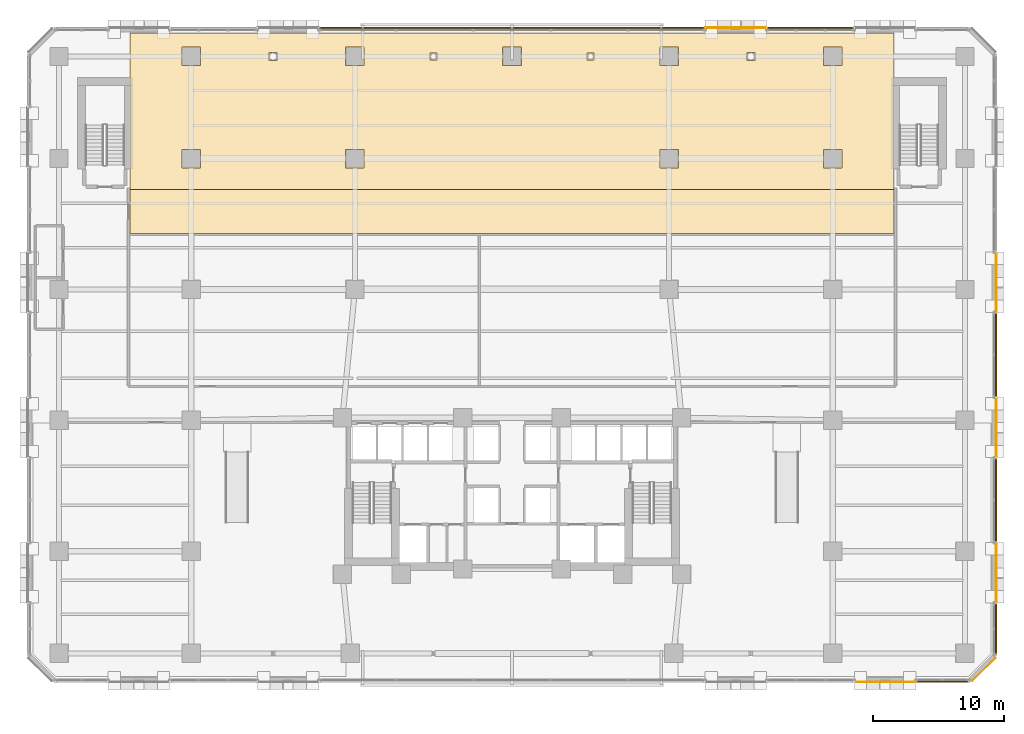
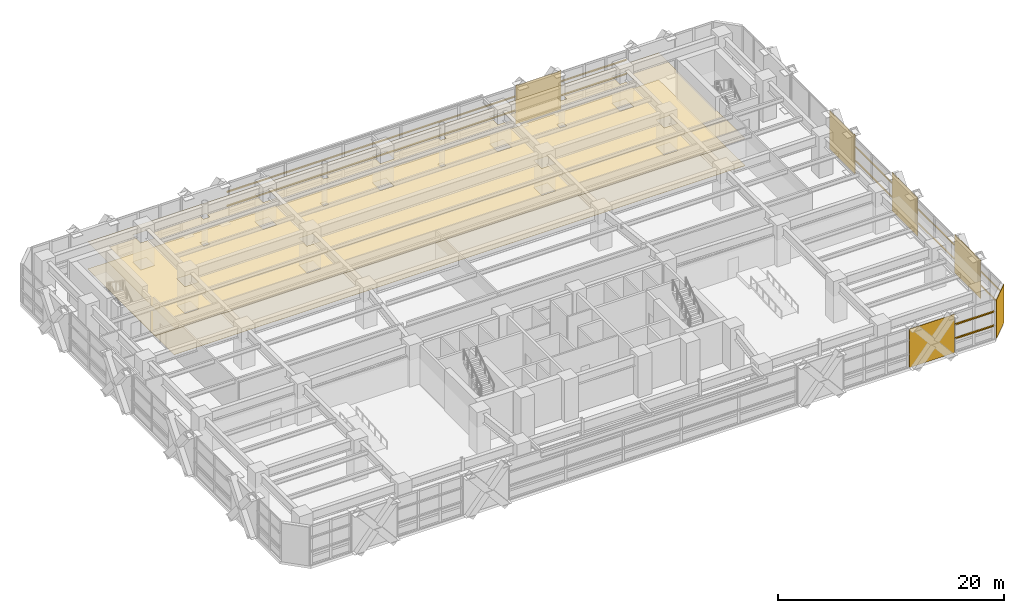
# One storey, part 29 of 30: 12 shading devices, 10 coverings.
"""IFC4 building model written with IfcOpenShell, lengths in metres."""

from ifc_helpers import new_model, si_unit, direction, frame, origin, origin_2d, place, context, subcontext, project, spatial, polyline, rectangle, outline, extrude, material, layer, layer_set, material_profile, profile_set, type_object, element, save


model = new_model("IFC4")

# Units and contexts
model_context = context("Model", 3, precision=1e-05, world=origin(), true_north=direction((0.0, 1.0)))
body_context = subcontext(model_context, "Body", "Model", "MODEL_VIEW")
ifc_project = project(units=[si_unit("LENGTHUNIT", "METRE"), si_unit("AREAUNIT", "SQUARE_METRE"), si_unit("VOLUMEUNIT", "CUBIC_METRE"), si_unit("PLANEANGLEUNIT", "RADIAN"), si_unit("MASSUNIT", "GRAM", prefix="KILO")], contexts=[model_context])

# Site, building, storey
site_placement = place(None, origin())
site = spatial("IfcSite", under=ifc_project, at=site_placement, CompositionType="ELEMENT")
building_placement = place(site_placement, origin())
building = spatial("IfcBuilding", under=site, at=building_placement, Name="Quenlor Broadcast Tower", CompositionType="ELEMENT")
storey_placement = place(building_placement, frame((0.0, 0.0, 9.5)))
storey = spatial("IfcBuildingStorey", under=building, at=storey_placement, Name="L02", CompositionType="ELEMENT", Elevation=9.5)

# Coverings
ifc_material_1 = material(Name="Acoustic Mineral Fibre Board", Category="other")
ifc_layer_1 = layer(ifc_material_1, 0.02490234375)
ifc_layer_set_1 = layer_set([ifc_layer_1], Name="Acoustic Perforated Mineral Tile Ceiling 25")
covering_type_1 = type_object("IfcCoveringType", Name="Acoustic Perforated Mineral Tile Ceiling 25", PredefinedType="CEILING", material=ifc_layer_set_1)
covering_1_placement = place(storey_placement, frame((0.0, 0.0, 2.925048828125)))
element("IfcCovering", 1, at=covering_1_placement, inside=storey, type_object=covering_type_1, Name="L02 Acoustic Ceiling L02-35", PredefinedType="CEILING", context=body_context, shape_type="SweptSolid", body=[
    extrude(outline(polyline([(29.199951171875, 9.280029296875), (-29.199951171875, 9.280029296875), (-29.199951171875, 12.64990234375), (29.199951171875, 12.64990234375), (29.199951171875, 9.280029296875)])), origin(), (0.0, 0.0, 1.0), 0.02490234375),
])
covering_2_placement = place(storey_placement, frame((0.0, 0.0, 2.925048828125)))
element("IfcCovering", 2, at=covering_2_placement, inside=storey, type_object=covering_type_1, Name="L02 Acoustic Ceiling L02-35-2", PredefinedType="CEILING", context=body_context, shape_type="SweptSolid", body=[
    extrude(outline(polyline([(29.199951171875, 24.580078125), (29.199951171875, 12.64990234375), (-29.199951171875, 12.64990234375), (-29.199951171875, 24.580078125), (29.199951171875, 24.580078125)]), holes=[polyline([(-23.7919921875, 14.2919921875), (-23.7919921875, 15.7080078125), (-25.2080078125, 15.7080078125), (-25.2080078125, 14.2919921875), (-23.7919921875, 14.2919921875)]), polyline([(-23.7919921875, 23.508056640625), (-25.2080078125, 23.508056640625), (-25.2080078125, 22.092041015625), (-23.7919921875, 22.092041015625), (-23.7919921875, 23.508056640625)]), polyline([(-17.93701171875, 22.487060546875), (-17.93701171875, 23.113037109375), (-18.56298828125, 23.113037109375), (-18.56298828125, 22.487060546875), (-17.93701171875, 22.487060546875)]), polyline([(12.7080078125, 14.2919921875), (12.7080078125, 15.7080078125), (11.2919921875, 15.7080078125), (11.2919921875, 14.2919921875), (12.7080078125, 14.2919921875)]), polyline([(-11.2919921875, 15.7080078125), (-12.7080078125, 15.7080078125), (-12.7080078125, 14.2919921875), (-11.2919921875, 14.2919921875), (-11.2919921875, 15.7080078125)]), polyline([(0.7080078125, 22.092041015625), (0.7080078125, 23.508056640625), (-0.7080078125, 23.508056640625), (-0.7080078125, 22.092041015625), (0.7080078125, 22.092041015625)]), polyline([(12.7080078125, 22.092041015625), (12.7080078125, 23.508056640625), (11.2919921875, 23.508056640625), (11.2919921875, 22.092041015625), (12.7080078125, 22.092041015625)]), polyline([(6.261962890625, 23.06201171875), (5.738037109375, 23.06201171875), (5.738037109375, 22.5380859375), (6.261962890625, 22.5380859375), (6.261962890625, 23.06201171875)]), polyline([(-5.738037109375, 22.5380859375), (-5.738037109375, 23.06201171875), (-6.261962890625, 23.06201171875), (-6.261962890625, 22.5380859375), (-5.738037109375, 22.5380859375)]), polyline([(-11.2919921875, 22.092041015625), (-11.2919921875, 23.508056640625), (-12.7080078125, 23.508056640625), (-12.7080078125, 22.092041015625), (-11.2919921875, 22.092041015625)]), polyline([(25.2080078125, 14.2919921875), (25.2080078125, 15.7080078125), (23.7919921875, 15.7080078125), (23.7919921875, 14.2919921875), (25.2080078125, 14.2919921875)]), polyline([(25.2080078125, 22.092041015625), (25.2080078125, 23.508056640625), (23.7919921875, 23.508056640625), (23.7919921875, 22.092041015625), (25.2080078125, 22.092041015625)]), polyline([(18.56298828125, 22.487060546875), (18.56298828125, 23.113037109375), (17.93701171875, 23.113037109375), (17.93701171875, 22.487060546875), (18.56298828125, 22.487060546875)])]), origin(), (0.0, 0.0, 1.0), 0.02490234375),
])

# Shading devices
ifc_material_2 = material(Name="Architectural Terracotta Ceramic", Category="masonry")
ifc_material_profile = material_profile(ifc_material_2, rectangle(XDim=0.090087890625, YDim=0.139892578125, at=origin_2d()))
ifc_profile_set = profile_set([ifc_material_profile], Name="Architectural Terracotta Ceramic BAG90x140")
shading_device_type = type_object("IfcShadingDeviceType", Name="Copper Terracotta Baguette Solar Screen 140", PredefinedType="USERDEFINED", material=ifc_profile_set)
for number, where, z_axis, x_axis, name in (
    (3, (34.85888671875, -24.972900390625, 1.511962890625), (-1.0, 0.0, 0.0), (0.0, -1.0, 0.0), "L02 Terracotta Baguette Screen 1"),
    (4, (34.85888671875, -24.972900390625, 3.02392578125), (-1.0, 0.0, 0.0), (0.0, -1.0, 0.0), "L02 Terracotta Baguette Screen 2"),
):
    element("IfcShadingDevice", number, at=place(storey_placement, frame(where, z_axis=z_axis, x_axis=x_axis)), inside=storey, type_object=shading_device_type, Name=name, ObjectType="BAGUETTE", PredefinedType="USERDEFINED", context=body_context, shape_type="SweptSolid", body=[
        extrude(rectangle(XDim=0.090087890625, YDim=0.139892578125, at=origin_2d()), origin(), (0.0, 0.0, 1.0), 3.968505859375),
    ])
for number, where, z_axis, x_axis, name in (
    (5, (-14.70947265625, 24.972900390625, 1.511962890625), (1.0, 0.0, 0.0), (0.0, 1.0, 0.0), "L02 Terracotta Baguette Screen 1"),
    (6, (-14.70947265625, 24.972900390625, 3.02392578125), (1.0, 0.0, 0.0), (0.0, 1.0, 0.0), "L02 Terracotta Baguette Screen 2"),
):
    element("IfcShadingDevice", number, at=place(storey_placement, frame(where, z_axis=z_axis, x_axis=x_axis)), inside=storey, type_object=shading_device_type, Name=name, ObjectType="BAGUETTE", PredefinedType="USERDEFINED", context=body_context, shape_type="SweptSolid", body=[
        extrude(rectangle(XDim=0.090087890625, YDim=0.139892578125, at=origin_2d()), origin(), (0.0, 0.0, 1.0), 29.4189453125),
    ])
for number, where, z_axis, x_axis, name in (
    (7, (19.490478515625, 24.972900390625, 1.511962890625), (1.0, 0.0, 0.0), (0.0, 1.0, 0.0), "L02 Terracotta Baguette Screen 1"),
    (8, (19.490478515625, 24.972900390625, 3.02392578125), (1.0, 0.0, 0.0), (0.0, 1.0, 0.0), "L02 Terracotta Baguette Screen 2"),
):
    element("IfcShadingDevice", number, at=place(storey_placement, frame(where, z_axis=z_axis, x_axis=x_axis)), inside=storey, type_object=shading_device_type, Name=name, ObjectType="BAGUETTE", PredefinedType="USERDEFINED", context=body_context, shape_type="SweptSolid", body=[
        extrude(rectangle(XDim=0.090087890625, YDim=0.139892578125, at=origin_2d()), origin(), (0.0, 0.0, 1.0), 6.619140625),
    ])
for number, where, z_axis, x_axis, name in (
    (9, (36.972900390625, 3.206298828125, 1.511962890625), (0.0, -1.0, 0.0), (1.0, 0.0, 0.0), "L02 Terracotta Baguette Screen 1"),
    (10, (36.972900390625, 3.206298828125, 3.02392578125), (0.0, -1.0, 0.0), (1.0, 0.0, 0.0), "L02 Terracotta Baguette Screen 2"),
    (11, (36.972900390625, -7.893798828125, 1.511962890625), (0.0, -1.0, 0.0), (1.0, 0.0, 0.0), "L02 Terracotta Baguette Screen 1"),
    (12, (36.972900390625, -7.893798828125, 3.02392578125), (0.0, -1.0, 0.0), (1.0, 0.0, 0.0), "L02 Terracotta Baguette Screen 2"),
):
    element("IfcShadingDevice", number, at=place(storey_placement, frame(where, z_axis=z_axis, x_axis=x_axis)), inside=storey, type_object=shading_device_type, Name=name, ObjectType="BAGUETTE", PredefinedType="USERDEFINED", context=body_context, shape_type="SweptSolid", body=[
        extrude(rectangle(XDim=0.090087890625, YDim=0.139892578125, at=origin_2d()), origin(), (0.0, 0.0, 1.0), 6.41259765625),
    ])
for number, where, z_axis, x_axis, name in (
    (13, (36.972900390625, -18.99365234375, 1.511962890625), (0.0, -1.0, 0.0), (1.0, 0.0, 0.0), "L02 Terracotta Baguette Screen 1"),
    (14, (36.972900390625, -18.99365234375, 3.02392578125), (0.0, -1.0, 0.0), (1.0, 0.0, 0.0), "L02 Terracotta Baguette Screen 2"),
):
    element("IfcShadingDevice", number, at=place(storey_placement, frame(where, z_axis=z_axis, x_axis=x_axis)), inside=storey, type_object=shading_device_type, Name=name, ObjectType="BAGUETTE", PredefinedType="USERDEFINED", context=body_context, shape_type="SweptSolid", body=[
        extrude(rectangle(XDim=0.090087890625, YDim=0.139892578125, at=origin_2d()), origin(), (0.0, 0.0, 1.0), 3.865234375),
    ])

# Coverings
ifc_material_3 = material(Name="Architectural Terracotta Ceramic", Category="masonry")
ifc_layer_2 = layer(ifc_material_3, 0.044921875)
ifc_layer_set_2 = layer_set([ifc_layer_2], Name="Fluted Terracotta Rainscreen Cladding Panel")
covering_type_2 = type_object("IfcCoveringType", Name="Fluted Terracotta Rainscreen Cladding Panel", PredefinedType="CLADDING", material=ifc_layer_set_2)
covering_3_placement = place(storey_placement, frame((0.0, 0.0, 0.02001953125)))
element("IfcCovering", 15, at=covering_3_placement, inside=storey, type_object=covering_type_2, Name="L02 Terracotta Rainscreen Cladding L02-S-FULL-SP1", PredefinedType="CLADDING", context=body_context, shape_type="SweptSolid", body=[
    extrude(outline(polyline([(30.819580078125, -24.971923828125), (26.180419921875, -24.971923828125), (26.180419921875, -25.01708984375), (30.819580078125, -25.01708984375), (30.819580078125, -24.971923828125)])), origin(), (0.0, 0.0, 1.0), 4.159912109375),
])
covering_4_placement = place(storey_placement, frame((0.0, 0.0, 0.02001953125)))
element("IfcCovering", 16, at=covering_4_placement, inside=storey, type_object=covering_type_2, Name="L02 Terracotta Rainscreen Cladding L02-N-FULL-SP3", PredefinedType="CLADDING", context=body_context, shape_type="SweptSolid", body=[
    extrude(outline(polyline([(14.780517578125, 24.971923828125), (19.41943359375, 24.971923828125), (19.41943359375, 25.01708984375), (14.780517578125, 25.01708984375), (14.780517578125, 24.971923828125)])), origin(), (0.0, 0.0, 1.0), 4.159912109375),
])
covering_5_placement = place(storey_placement, frame((0.0, 0.0, 0.02001953125)))
element("IfcCovering", 17, at=covering_5_placement, inside=storey, type_object=covering_type_2, Name="L02 Terracotta Rainscreen Cladding L02-E-FULL-SP2", PredefinedType="CLADDING", context=body_context, shape_type="SweptSolid", body=[
    extrude(outline(polyline([(36.971923828125, 7.82275390625), (36.971923828125, 3.27734375), (37.01708984375, 3.27734375), (37.01708984375, 7.82275390625), (36.971923828125, 7.82275390625)])), origin(), (0.0, 0.0, 1.0), 4.159912109375),
])
covering_6_placement = place(storey_placement, frame((0.0, 0.0, 0.02001953125)))
element("IfcCovering", 18, at=covering_6_placement, inside=storey, type_object=covering_type_2, Name="L02 Terracotta Rainscreen Cladding L02-E-FULL-SP3", PredefinedType="CLADDING", context=body_context, shape_type="SweptSolid", body=[
    extrude(outline(polyline([(36.971923828125, -3.27734375), (36.971923828125, -7.82275390625), (37.01708984375, -7.82275390625), (37.01708984375, -3.27734375), (36.971923828125, -3.27734375)])), origin(), (0.0, 0.0, 1.0), 4.159912109375),
])
covering_7_placement = place(storey_placement, frame((0.0, 0.0, 0.02001953125)))
element("IfcCovering", 19, at=covering_7_placement, inside=storey, type_object=covering_type_2, Name="L02 Terracotta Rainscreen Cladding L02-E-FULL-SP4", PredefinedType="CLADDING", context=body_context, shape_type="SweptSolid", body=[
    extrude(outline(polyline([(36.971923828125, -14.377197265625), (36.971923828125, -18.922607421875), (37.01708984375, -18.922607421875), (37.01708984375, -14.377197265625), (36.971923828125, -14.377197265625)])), origin(), (0.0, 0.0, 1.0), 4.159912109375),
])
covering_8_placement = place(storey_placement, frame((0.0, 0.0, 0.02001953125)))
element("IfcCovering", 20, at=covering_8_placement, inside=storey, type_object=covering_type_2, Name="L02 Terracotta Rainscreen Cladding L02-EW-CSE", PredefinedType="CLADDING", context=body_context, shape_type="SweptSolid", body=[
    extrude(outline(polyline([(36.90625, -23.128662109375), (35.128662109375, -24.90625), (35.160400390625, -24.93798828125), (36.93798828125, -23.160400390625), (36.90625, -23.128662109375)])), origin(), (0.0, 0.0, 1.0), 4.159912109375),
])
ifc_material_4 = material(Name="Terrazzo Stone Finish", Category="masonry")
ifc_layer_3 = layer(ifc_material_4, 0.02001953125)
ifc_layer_set_3 = layer_set([ifc_layer_3], Name="Polished Sandstone Terrazzo Flooring 20")
covering_type_3 = type_object("IfcCoveringType", Name="Polished Sandstone Terrazzo Flooring 20", PredefinedType="FLOORING", material=ifc_layer_set_3)
covering_9_placement = place(storey_placement, origin())
element("IfcCovering", 21, at=covering_9_placement, inside=storey, type_object=covering_type_3, Name="L02 Terrazzo Flooring L02-35", PredefinedType="FLOORING", context=body_context, shape_type="SweptSolid", body=[
    extrude(outline(polyline([(29.199951171875, 9.280029296875), (-29.199951171875, 9.280029296875), (-29.199951171875, 12.64990234375), (29.199951171875, 12.64990234375), (29.199951171875, 9.280029296875)])), origin(), (0.0, 0.0, 1.0), 0.02001953125),
])
covering_10_placement = place(storey_placement, origin())
element("IfcCovering", 22, at=covering_10_placement, inside=storey, type_object=covering_type_3, Name="L02 Terrazzo Flooring L02-35-2", PredefinedType="FLOORING", context=body_context, shape_type="SweptSolid", body=[
    extrude(outline(polyline([(29.199951171875, 24.580078125), (29.199951171875, 12.64990234375), (-29.199951171875, 12.64990234375), (-29.199951171875, 24.580078125), (29.199951171875, 24.580078125)]), holes=[polyline([(-23.7919921875, 14.2919921875), (-23.7919921875, 15.7080078125), (-25.2080078125, 15.7080078125), (-25.2080078125, 14.2919921875), (-23.7919921875, 14.2919921875)]), polyline([(-23.7919921875, 23.508056640625), (-25.2080078125, 23.508056640625), (-25.2080078125, 22.092041015625), (-23.7919921875, 22.092041015625), (-23.7919921875, 23.508056640625)]), polyline([(-17.93701171875, 22.487060546875), (-17.93701171875, 23.113037109375), (-18.56298828125, 23.113037109375), (-18.56298828125, 22.487060546875), (-17.93701171875, 22.487060546875)]), polyline([(12.7080078125, 14.2919921875), (12.7080078125, 15.7080078125), (11.2919921875, 15.7080078125), (11.2919921875, 14.2919921875), (12.7080078125, 14.2919921875)]), polyline([(-11.2919921875, 15.7080078125), (-12.7080078125, 15.7080078125), (-12.7080078125, 14.2919921875), (-11.2919921875, 14.2919921875), (-11.2919921875, 15.7080078125)]), polyline([(0.7080078125, 22.092041015625), (0.7080078125, 23.508056640625), (-0.7080078125, 23.508056640625), (-0.7080078125, 22.092041015625), (0.7080078125, 22.092041015625)]), polyline([(12.7080078125, 22.092041015625), (12.7080078125, 23.508056640625), (11.2919921875, 23.508056640625), (11.2919921875, 22.092041015625), (12.7080078125, 22.092041015625)]), polyline([(6.261962890625, 23.06201171875), (5.738037109375, 23.06201171875), (5.738037109375, 22.5380859375), (6.261962890625, 22.5380859375), (6.261962890625, 23.06201171875)]), polyline([(-5.738037109375, 22.5380859375), (-5.738037109375, 23.06201171875), (-6.261962890625, 23.06201171875), (-6.261962890625, 22.5380859375), (-5.738037109375, 22.5380859375)]), polyline([(-11.2919921875, 22.092041015625), (-11.2919921875, 23.508056640625), (-12.7080078125, 23.508056640625), (-12.7080078125, 22.092041015625), (-11.2919921875, 22.092041015625)]), polyline([(25.2080078125, 14.2919921875), (25.2080078125, 15.7080078125), (23.7919921875, 15.7080078125), (23.7919921875, 14.2919921875), (25.2080078125, 14.2919921875)]), polyline([(25.2080078125, 22.092041015625), (25.2080078125, 23.508056640625), (23.7919921875, 23.508056640625), (23.7919921875, 22.092041015625), (25.2080078125, 22.092041015625)]), polyline([(18.56298828125, 22.487060546875), (18.56298828125, 23.113037109375), (17.93701171875, 23.113037109375), (17.93701171875, 22.487060546875), (18.56298828125, 22.487060546875)])]), origin(), (0.0, 0.0, 1.0), 0.02001953125),
])

save(model, "model.ifc")
